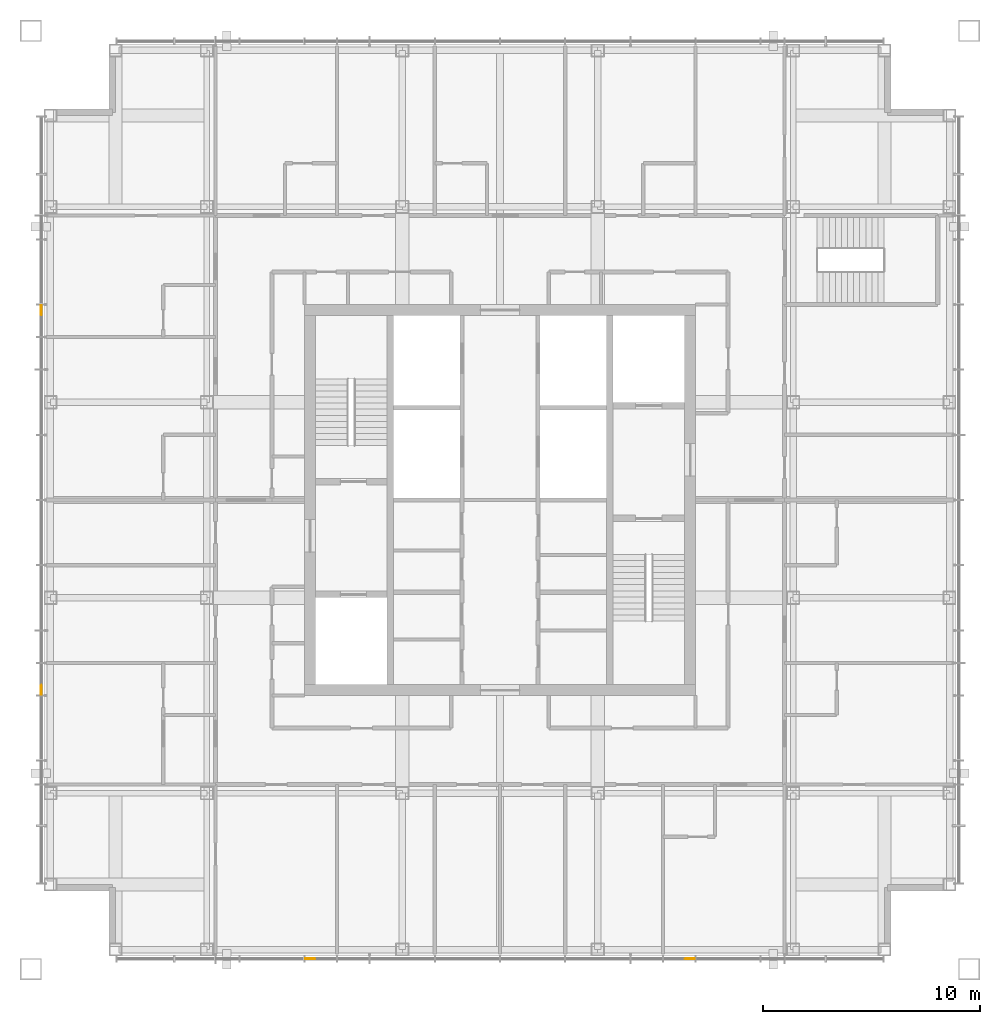
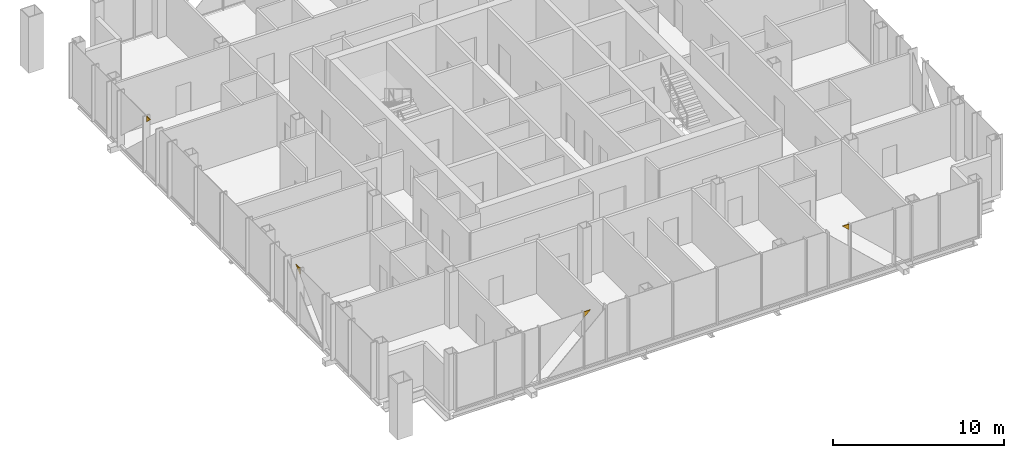
# One storey, part 13 of 14: 4 coverings.
"""IFC4 building model written with IfcOpenShell, lengths in metres."""

from ifc_helpers import new_model, si_unit, direction, frame, origin, place, context, subcontext, project, spatial, polyline, outline, extrude, material, layer, layer_set, type_object, element, save


model = new_model("IFC4")

# Units and contexts
model_context = context("Model", 3, precision=1e-05, world=origin(), true_north=direction((0.0, 1.0)))
body_context = subcontext(model_context, "Body", "Model", "MODEL_VIEW")
ifc_project = project(units=[si_unit("LENGTHUNIT", "METRE"), si_unit("AREAUNIT", "SQUARE_METRE"), si_unit("VOLUMEUNIT", "CUBIC_METRE"), si_unit("PLANEANGLEUNIT", "RADIAN"), si_unit("MASSUNIT", "GRAM", prefix="KILO")], contexts=[model_context])

# Site, building, storey
site_placement = place(None, origin())
site = spatial("IfcSite", under=ifc_project, at=site_placement, CompositionType="ELEMENT")
building_placement = place(site_placement, origin())
building = spatial("IfcBuilding", under=site, at=building_placement, Name="Malebo Sky Hospital", CompositionType="ELEMENT")
storey_placement = place(building_placement, frame((0.0, 0.0, 258.0)))
storey = spatial("IfcBuildingStorey", under=building, at=storey_placement, Name="L62", CompositionType="ELEMENT", Elevation=258.0)

# Coverings
ifc_material = material(Name="Anodised aluminium, natural silver insulated infill panel", Category="aluminium")
ifc_layer = layer(ifc_material, 0.0400390625)
ifc_layer_set = layer_set([ifc_layer], Name="BRACE INFILL PANEL 40")
covering_type = type_object("IfcCoveringType", Name="BRACE INFILL PANEL 40", PredefinedType="CLADDING", material=ifc_layer_set)
covering_1_placement = place(storey_placement, frame((38.875, 53.263916015625, 3.56591796875), z_axis=(0.0, 0.0, 1.0), x_axis=(0.0, 1.0, 0.0)))
element("IfcCovering", 1, at=covering_1_placement, inside=storey, type_object=covering_type, Name="Brace infill panel 5.1", PredefinedType="CLADDING", context=body_context, shape_type="SweptSolid", body=[
    extrude(outline(polyline([(-0.2265625, 0.0), (0.226318359375, 0.424072265625), (-0.2265625, 0.424072265625), (-0.2265625, 0.0)])), frame((0.0, 0.02001953125, 0.0), z_axis=(0.0, -1.0, 0.0), x_axis=(1.0, 0.0, 0.0)), (0.0, 0.0, 1.0), 0.0400390625),
])
covering_2_placement = place(storey_placement, frame((38.875, 70.736083984375, 3.56591796875), z_axis=(0.0, 0.0, 1.0), x_axis=(0.0, 1.0, 0.0)))
element("IfcCovering", 2, at=covering_2_placement, inside=storey, type_object=covering_type, Name="Brace infill panel 12.1", PredefinedType="CLADDING", context=body_context, shape_type="SweptSolid", body=[
    extrude(outline(polyline([(0.2265625, 0.0), (0.2265625, 0.424072265625), (-0.226318359375, 0.424072265625), (0.2265625, 0.0)])), frame((0.0, 0.02001953125, 0.0), z_axis=(0.0, -1.0, 0.0), x_axis=(1.0, 0.0, 0.0)), (0.0, 0.0, 1.0), 0.0400390625),
])
covering_3_placement = place(storey_placement, frame((68.736083984375, 40.875, 3.56591796875), z_axis=(0.0, 0.0, 1.0), x_axis=(-1.0, 0.0, 0.0)))
element("IfcCovering", 3, at=covering_3_placement, inside=storey, type_object=covering_type, Name="Brace infill panel 5.1", PredefinedType="CLADDING", context=body_context, shape_type="SweptSolid", body=[
    extrude(outline(polyline([(-0.2265625, 0.0), (0.226318359375, 0.424072265625), (-0.2265625, 0.424072265625), (-0.2265625, 0.0)])), frame((0.0, 0.02001953125, 0.0), z_axis=(0.0, -1.0, 0.0), x_axis=(1.0, 0.0, 0.0)), (0.0, 0.0, 1.0), 0.0400390625),
])
covering_4_placement = place(storey_placement, frame((51.263916015625, 40.875, 3.56591796875), z_axis=(0.0, 0.0, 1.0), x_axis=(-1.0, 0.0, 0.0)))
element("IfcCovering", 4, at=covering_4_placement, inside=storey, type_object=covering_type, Name="Brace infill panel 12.1", PredefinedType="CLADDING", context=body_context, shape_type="SweptSolid", body=[
    extrude(outline(polyline([(0.2265625, 0.0), (0.2265625, 0.424072265625), (-0.226318359375, 0.424072265625), (0.2265625, 0.0)])), frame((0.0, 0.02001953125, 0.0), z_axis=(0.0, -1.0, 0.0), x_axis=(1.0, 0.0, 0.0)), (0.0, 0.0, 1.0), 0.0400390625),
])

save(model, "model.ifc")
